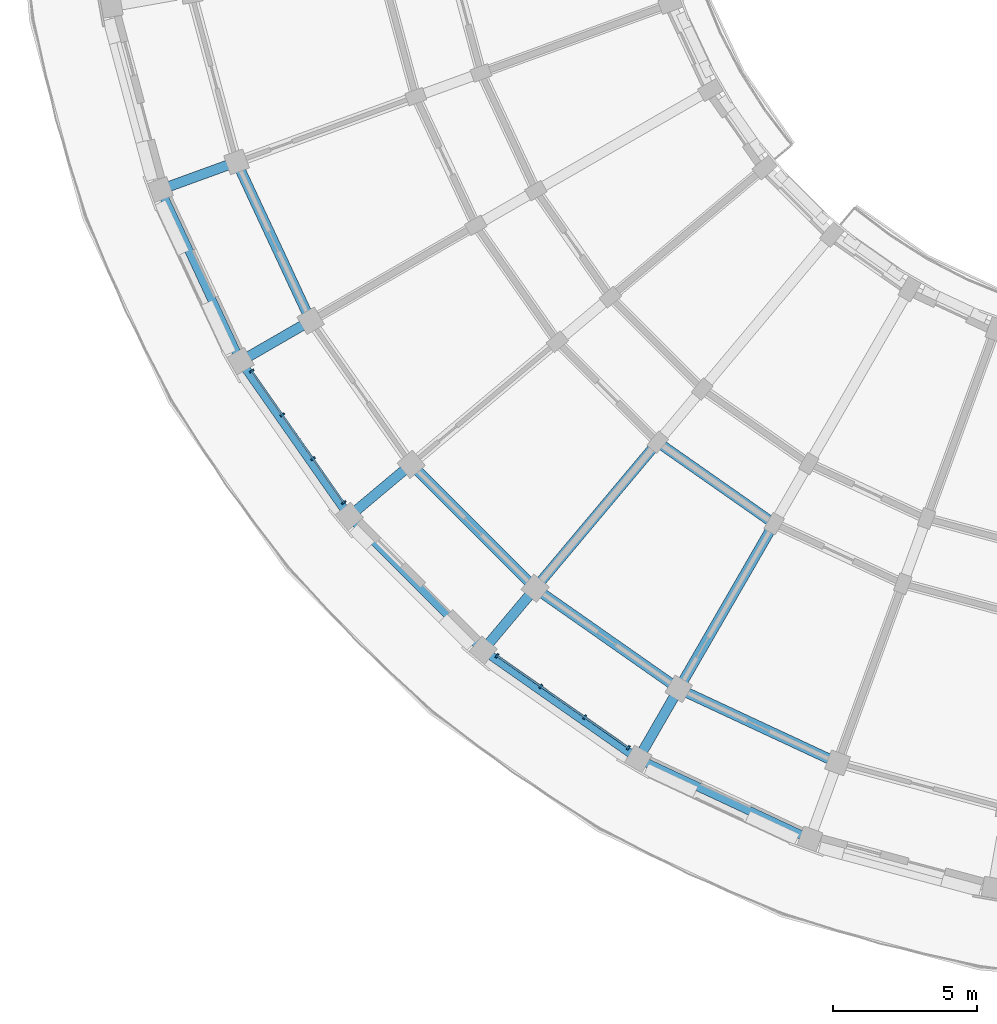
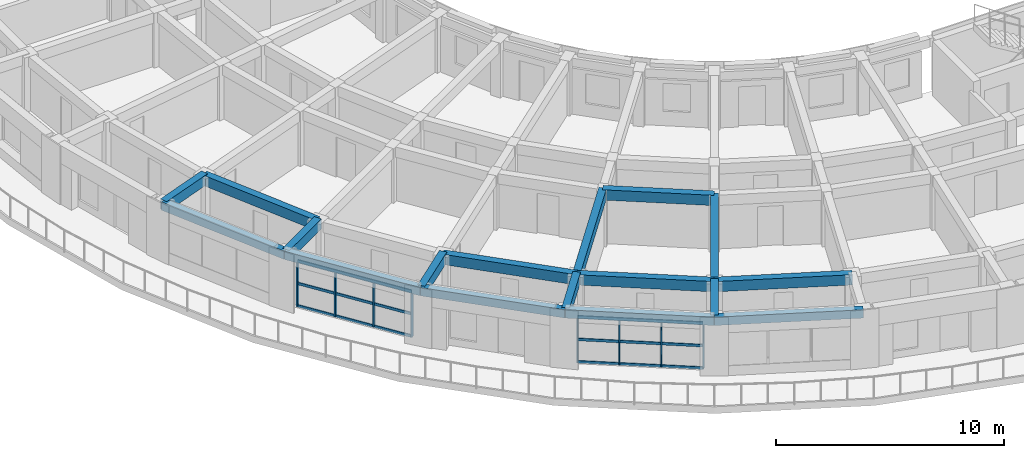
# One storey, part 4 of 54: 17 beams, 14 members, 2 elements without a shape of their own.
"""IFC4 building model written with IfcOpenShell, lengths in metres."""

from ifc_helpers import new_model, si_unit, direction, frame, origin, origin_2d, place, context, subcontext, project, spatial, rectangle, extrude, material, material_profile, profile_set, type_object, element, aggregate, save


model = new_model("IFC4")

# Units and contexts
model_context = context("Model", 3, precision=1e-05, world=origin(), true_north=direction((0.0, 1.0)))
body_context = subcontext(model_context, "Body", "Model", "MODEL_VIEW")
ifc_project = project(units=[si_unit("LENGTHUNIT", "METRE"), si_unit("AREAUNIT", "SQUARE_METRE"), si_unit("VOLUMEUNIT", "CUBIC_METRE"), si_unit("PLANEANGLEUNIT", "RADIAN"), si_unit("MASSUNIT", "GRAM", prefix="KILO")], contexts=[model_context])

# Site, building, storey
site_placement = place(None, origin())
site = spatial("IfcSite", under=ifc_project, at=site_placement, CompositionType="ELEMENT")
building_placement = place(site_placement, origin())
building = spatial("IfcBuilding", under=site, at=building_placement, Name="Kiranvali Square Residences", CompositionType="ELEMENT")
storey_placement = place(building_placement, frame((0.0, 0.0, 27.60009765625)))
storey = spatial("IfcBuildingStorey", under=building, at=storey_placement, Name="L08", CompositionType="ELEMENT", Elevation=27.60009765625)

# Beams
ifc_material_1 = material(Name="Concrete M40 (40 MPa)", Category="concrete")
ifc_material_profile_1 = material_profile(ifc_material_1, rectangle(XDim=0.35009765625, YDim=0.550048828125, at=origin_2d()), Name="RC 350x550")
ifc_profile_set_1 = profile_set([ifc_material_profile_1], Name="Concrete M40 (40 MPa)")
beam_type_1 = type_object("IfcBeamType", Name="BM-M40-350x550", PredefinedType="BEAM", material=ifc_profile_set_1)
beam_1_placement = place(storey_placement, frame((36.297607421875, 15.498779296875, 2.65478515625), z_axis=(-0.906312656069, 0.42260781991, 0.0), x_axis=(-0.42260781991, -0.906312656069, 0.0)))
element("IfcBeam", 1, at=beam_1_placement, inside=storey, type_object=beam_type_1, Name="L08 beam BM-C-L08-C02-R3", PredefinedType="BEAM", context=body_context, shape_type="SweptSolid", body=[
    extrude(rectangle(XDim=0.35009765625, YDim=0.550048828125, at=origin_2d()), origin(), (0.0, 0.0, 1.0), 6.06591796875),
])
beam_2_placement = place(storey_placement, frame((34.10009765625, 23.778076171875, 2.65478515625), z_axis=(-0.819140911474, 0.573592335331, 0.0), x_axis=(-0.573592335331, -0.819140911474, 0.0)))
element("IfcBeam", 2, at=beam_2_placement, inside=storey, type_object=beam_type_1, Name="L08 beam BM-C-L08-C03-R2", PredefinedType="BEAM", context=body_context, shape_type="SweptSolid", body=[
    extrude(rectangle(XDim=0.35009765625, YDim=0.550048828125, at=origin_2d()), origin(), (0.0, 0.0, 1.0), 4.915771484375),
])
beam_3_placement = place(storey_placement, frame((30.800048828125, 18.062255859375, 2.65478515625), z_axis=(-0.81913926159, 0.573594691504, 0.0), x_axis=(-0.573594691504, -0.81913926159, 0.0)))
element("IfcBeam", 3, at=beam_3_placement, inside=storey, type_object=beam_type_1, Name="L08 beam BM-C-L08-C03-R3", PredefinedType="BEAM", context=body_context, shape_type="SweptSolid", body=[
    extrude(rectangle(XDim=0.35009765625, YDim=0.550048828125, at=origin_2d()), origin(), (0.0, 0.0, 1.0), 6.066162109375),
])
for number, where, z_axis, x_axis, name in (
    (4, (25.8310546875, 21.541748046875, 2.65478515625), (-0.707106781187, 0.707106781187, 0.0), (-0.707106781187, -0.707106781187, 0.0), "L08 beam BM-C-L08-C04-R3"),
    (5, (18.062255859375, 30.800048828125, 2.65478515625), (-0.42260781991, 0.906312656069, 0.0), (-0.906312656069, -0.42260781991, 0.0), "L08 beam BM-C-L08-C06-R3"),
):
    element("IfcBeam", number, at=place(storey_placement, frame(where, z_axis=z_axis, x_axis=x_axis)), inside=storey, type_object=beam_type_1, Name=name, PredefinedType="BEAM", context=body_context, shape_type="SweptSolid", body=[
        extrude(rectangle(XDim=0.35009765625, YDim=0.550048828125, at=origin_2d()), origin(), (0.0, 0.0, 1.0), 6.06591796875),
    ])
beam_4_placement = place(storey_placement, frame((34.10009765625, 23.778076171875, 2.65478515625), z_axis=(-0.500002094529, -0.866024194504, 0.0), x_axis=(0.866024194504, -0.500002094529, 0.0)))
element("IfcBeam", 6, at=beam_4_placement, inside=storey, type_object=beam_type_1, Name="L08 beam BM-C-L08-RAD03-23", PredefinedType="BEAM", context=body_context, shape_type="SweptSolid", body=[
    extrude(rectangle(XDim=0.35009765625, YDim=0.550048828125, at=origin_2d()), origin(), (0.0, 0.0, 1.0), 6.60009765625),
])
beam_5_placement = place(storey_placement, frame((30.800048828125, 18.062255859375, 2.69482421875), z_axis=(-0.500049511043, -0.865996816683, 0.0), x_axis=(0.865996816683, -0.500049511043, 0.0)))
element("IfcBeam", 7, at=beam_5_placement, inside=storey, type_object=beam_type_1, Name="L08 beam BM-C-L08-RAD03-34", PredefinedType="BEAM", context=body_context, shape_type="SweptSolid", body=[
    extrude(rectangle(XDim=0.35009765625, YDim=0.550048828125, at=origin_2d()), origin(), (0.0, 0.0, 1.0), 2.800048828125),
])
beam_6_placement = place(storey_placement, frame((30.073486328125, 26.59765625, 2.65478515625), z_axis=(-0.642789470807, -0.766042881449, 0.0), x_axis=(0.766042881449, -0.642789470807, 0.0)))
element("IfcBeam", 8, at=beam_6_placement, inside=storey, type_object=beam_type_1, Name="L08 beam BM-C-L08-RAD04-23", PredefinedType="BEAM", context=body_context, shape_type="SweptSolid", body=[
    extrude(rectangle(XDim=0.35009765625, YDim=0.550048828125, at=origin_2d()), origin(), (0.0, 0.0, 1.0), 6.60009765625),
])
for number, where, z_axis, x_axis, name in (
    (9, (25.8310546875, 21.541748046875, 2.69482421875), (-0.642770757628, -0.766058583359, 0.0), (0.766058583359, -0.642770757628, 0.0), "L08 beam BM-C-L08-RAD04-34"),
    (10, (21.541748046875, 25.8310546875, 2.69482421875), (-0.766058583359, -0.642770757628, 0.0), (0.642770757628, -0.766058583359, 0.0), "L08 beam BM-C-L08-RAD05-34"),
    (11, (18.062255859375, 30.800048828125, 2.69482421875), (-0.865996816683, -0.500049511043, 0.0), (0.500049511043, -0.865996816683, 0.0), "L08 beam BM-C-L08-RAD06-34"),
):
    element("IfcBeam", number, at=place(storey_placement, frame(where, z_axis=z_axis, x_axis=x_axis)), inside=storey, type_object=beam_type_1, Name=name, PredefinedType="BEAM", context=body_context, shape_type="SweptSolid", body=[
        extrude(rectangle(XDim=0.35009765625, YDim=0.550048828125, at=origin_2d()), origin(), (0.0, 0.0, 1.0), 2.800048828125),
    ])
beam_7_placement = place(storey_placement, frame((15.498779296875, 36.297607421875, 2.69482421875), z_axis=(-0.93970683422, -0.341981089711, 0.0), x_axis=(0.341981089711, -0.93970683422, 0.0)))
element("IfcBeam", 12, at=beam_7_placement, inside=storey, type_object=beam_type_1, Name="L08 beam BM-C-L08-RAD07-34", PredefinedType="BEAM", context=body_context, shape_type="SweptSolid", body=[
    extrude(rectangle(XDim=0.35009765625, YDim=0.550048828125, at=origin_2d()), origin(), (0.0, 0.0, 1.0), 2.7998046875),
])

# Curtain wall, members
ifc_material_2 = material(Name="Anodised bronze aluminium framing", Category="aluminium")
curtain_wall_type = type_object("IfcCurtainWallType", Name="CW-RES-LOG", PredefinedType="USERDEFINED", material=ifc_material_2)
curtain_wall_1_placement = place(storey_placement, origin())
curtain_wall_1 = element("IfcCurtainWall", 13, at=curtain_wall_1_placement, inside=storey, type_object=curtain_wall_type, Name="Block C L08 stepped curved terrace loggia 4", ObjectType="CURTAIN WALL", PredefinedType="USERDEFINED")
ifc_material_profile_2 = material_profile(ifc_material_2, rectangle(XDim=0.06494140625, YDim=0.159912109375, at=origin_2d()), Name="ALU 65x160")
ifc_profile_set_2 = profile_set([ifc_material_profile_2], Name="Anodised bronze aluminium framing")
member_type_1 = type_object("IfcMemberType", Name="CW-MUL-160", PredefinedType="MULLION", material=ifc_profile_set_2)
member_1_placement = place(storey_placement, frame((29.059326171875, 16.0224609375, 0.02001953125), z_axis=(0.0, 0.0, 1.0), x_axis=(-0.819152044289, 0.573576436351, 0.0)))
member_1 = element("IfcMember", 14, at=member_1_placement, type_object=member_type_1, Name="CW-C-L08-TER-03 vertical mullion 1", PredefinedType="MULLION", context=body_context, shape_type="SweptSolid", body=[
    extrude(rectangle(XDim=0.06494140625, YDim=0.159912109375, at=origin_2d()), origin(), (0.0, 0.0, 1.0), 2.43994140625),
])
member_2_placement = place(storey_placement, frame((27.542724609375, 17.08447265625, 0.02001953125), z_axis=(0.0, 0.0, 1.0), x_axis=(-0.819152044289, 0.573576436351, 0.0)))
member_2 = element("IfcMember", 15, at=member_2_placement, type_object=member_type_1, Name="CW-C-L08-TER-03 vertical mullion 2", PredefinedType="MULLION", context=body_context, shape_type="SweptSolid", body=[
    extrude(rectangle(XDim=0.06494140625, YDim=0.159912109375, at=origin_2d()), origin(), (0.0, 0.0, 1.0), 2.43994140625),
])
member_3_placement = place(storey_placement, frame((26.026123046875, 18.146240234375, 0.02001953125), z_axis=(0.0, 0.0, 1.0), x_axis=(-0.819152044289, 0.573576436351, 0.0)))
member_3 = element("IfcMember", 16, at=member_3_placement, type_object=member_type_1, Name="CW-C-L08-TER-03 vertical mullion 3", PredefinedType="MULLION", context=body_context, shape_type="SweptSolid", body=[
    extrude(rectangle(XDim=0.06494140625, YDim=0.159912109375, at=origin_2d()), origin(), (0.0, 0.0, 1.0), 2.43994140625),
])
member_4_placement = place(storey_placement, frame((24.509521484375, 19.208251953125, 0.02001953125), z_axis=(0.0, 0.0, 1.0), x_axis=(-0.819152044289, 0.573576436351, 0.0)))
member_4 = element("IfcMember", 17, at=member_4_placement, type_object=member_type_1, Name="CW-C-L08-TER-03 vertical mullion 4", PredefinedType="MULLION", context=body_context, shape_type="SweptSolid", body=[
    extrude(rectangle(XDim=0.06494140625, YDim=0.159912109375, at=origin_2d()), origin(), (0.0, 0.0, 1.0), 2.43994140625),
])

curtain_wall_2_placement = place(storey_placement, origin())
curtain_wall_2 = element("IfcCurtainWall", 18, at=curtain_wall_2_placement, inside=storey, type_object=curtain_wall_type, Name="Block C L08 stepped curved terrace loggia 6", ObjectType="CURTAIN WALL", PredefinedType="USERDEFINED")
member_5_placement = place(storey_placement, frame((19.208251953125, 24.509521484375, 0.02001953125), z_axis=(0.0, 0.0, 1.0), x_axis=(-0.573576436351, 0.819152044289, 0.0)))
member_5 = element("IfcMember", 19, at=member_5_placement, type_object=member_type_1, Name="CW-C-L08-TER-05 vertical mullion 1", PredefinedType="MULLION", context=body_context, shape_type="SweptSolid", body=[
    extrude(rectangle(XDim=0.06494140625, YDim=0.159912109375, at=origin_2d()), origin(), (0.0, 0.0, 1.0), 2.43994140625),
])
member_6_placement = place(storey_placement, frame((18.146240234375, 26.026123046875, 0.02001953125), z_axis=(0.0, 0.0, 1.0), x_axis=(-0.573576436351, 0.819152044289, 0.0)))
member_6 = element("IfcMember", 20, at=member_6_placement, type_object=member_type_1, Name="CW-C-L08-TER-05 vertical mullion 2", PredefinedType="MULLION", context=body_context, shape_type="SweptSolid", body=[
    extrude(rectangle(XDim=0.06494140625, YDim=0.159912109375, at=origin_2d()), origin(), (0.0, 0.0, 1.0), 2.43994140625),
])
member_7_placement = place(storey_placement, frame((17.08447265625, 27.542724609375, 0.02001953125), z_axis=(0.0, 0.0, 1.0), x_axis=(-0.573576436351, 0.819152044289, 0.0)))
member_7 = element("IfcMember", 21, at=member_7_placement, type_object=member_type_1, Name="CW-C-L08-TER-05 vertical mullion 3", PredefinedType="MULLION", context=body_context, shape_type="SweptSolid", body=[
    extrude(rectangle(XDim=0.06494140625, YDim=0.159912109375, at=origin_2d()), origin(), (0.0, 0.0, 1.0), 2.43994140625),
])
member_8_placement = place(storey_placement, frame((16.0224609375, 29.059326171875, 0.02001953125), z_axis=(0.0, 0.0, 1.0), x_axis=(-0.573576436351, 0.819152044289, 0.0)))
member_8 = element("IfcMember", 22, at=member_8_placement, type_object=member_type_1, Name="CW-C-L08-TER-05 vertical mullion 4", PredefinedType="MULLION", context=body_context, shape_type="SweptSolid", body=[
    extrude(rectangle(XDim=0.06494140625, YDim=0.159912109375, at=origin_2d()), origin(), (0.0, 0.0, 1.0), 2.43994140625),
])

# Member
ifc_material_profile_3 = material_profile(ifc_material_2, rectangle(XDim=0.06494140625, YDim=0.139892578125, at=origin_2d()), Name="ALU 65x140")
ifc_profile_set_3 = profile_set([ifc_material_profile_3], Name="Anodised bronze aluminium framing")
member_type_2 = type_object("IfcMemberType", Name="CW-TRN-140", PredefinedType="MULLION", material=ifc_profile_set_3)
member_9_placement = place(storey_placement, frame((29.051025390625, 16.0283203125, 0.039794921875), z_axis=(-0.819161445828, 0.573563009328, 0.0), x_axis=(-0.573563009328, -0.819161445828, 0.0)))
member_9 = element("IfcMember", 23, at=member_9_placement, type_object=member_type_2, Name="CW-C-L08-TER-03 horizontal transom 1", PredefinedType="MULLION", context=body_context, shape_type="SweptSolid", body=[
    extrude(rectangle(XDim=0.06494140625, YDim=0.139892578125, at=origin_2d()), origin(), (0.0, 0.0, 1.0), 5.533935546875),
])

member_10_placement = place(storey_placement, frame((29.051025390625, 16.0283203125, 1.239990234375), z_axis=(-0.819161445828, 0.573563009328, 0.0), x_axis=(-0.573563009328, -0.819161445828, 0.0)))
member_10 = element("IfcMember", 24, at=member_10_placement, type_object=member_type_2, Name="CW-C-L08-TER-03 horizontal transom 2", PredefinedType="MULLION", context=body_context, shape_type="SweptSolid", body=[
    extrude(rectangle(XDim=0.06494140625, YDim=0.139892578125, at=origin_2d()), origin(), (0.0, 0.0, 1.0), 5.533935546875),
])

member_11_placement = place(storey_placement, frame((29.051025390625, 16.0283203125, 2.43994140625), z_axis=(-0.819161445828, 0.573563009328, 0.0), x_axis=(-0.573563009328, -0.819161445828, 0.0)))
member_11 = element("IfcMember", 25, at=member_11_placement, type_object=member_type_2, Name="CW-C-L08-TER-03 horizontal transom 3", PredefinedType="MULLION", context=body_context, shape_type="SweptSolid", body=[
    extrude(rectangle(XDim=0.06494140625, YDim=0.139892578125, at=origin_2d()), origin(), (0.0, 0.0, 1.0), 5.533935546875),
])

aggregate(curtain_wall_1, [member_1, member_2, member_3, member_4, member_9, member_10, member_11])

member_12_placement = place(storey_placement, frame((19.202392578125, 24.517822265625, 0.039794921875), z_axis=(-0.573563009328, 0.819161445828, 0.0), x_axis=(-0.819161445828, -0.573563009328, 0.0)))
member_12 = element("IfcMember", 26, at=member_12_placement, type_object=member_type_2, Name="CW-C-L08-TER-05 horizontal transom 1", PredefinedType="MULLION", context=body_context, shape_type="SweptSolid", body=[
    extrude(rectangle(XDim=0.06494140625, YDim=0.139892578125, at=origin_2d()), origin(), (0.0, 0.0, 1.0), 5.533935546875),
])

member_13_placement = place(storey_placement, frame((19.202392578125, 24.517822265625, 1.239990234375), z_axis=(-0.573563009328, 0.819161445828, 0.0), x_axis=(-0.819161445828, -0.573563009328, 0.0)))
member_13 = element("IfcMember", 27, at=member_13_placement, type_object=member_type_2, Name="CW-C-L08-TER-05 horizontal transom 2", PredefinedType="MULLION", context=body_context, shape_type="SweptSolid", body=[
    extrude(rectangle(XDim=0.06494140625, YDim=0.139892578125, at=origin_2d()), origin(), (0.0, 0.0, 1.0), 5.533935546875),
])

member_14_placement = place(storey_placement, frame((19.202392578125, 24.517822265625, 2.43994140625), z_axis=(-0.573563009328, 0.819161445828, 0.0), x_axis=(-0.819161445828, -0.573563009328, 0.0)))
member_14 = element("IfcMember", 28, at=member_14_placement, type_object=member_type_2, Name="CW-C-L08-TER-05 horizontal transom 3", PredefinedType="MULLION", context=body_context, shape_type="SweptSolid", body=[
    extrude(rectangle(XDim=0.06494140625, YDim=0.139892578125, at=origin_2d()), origin(), (0.0, 0.0, 1.0), 5.533935546875),
])

aggregate(curtain_wall_2, [member_5, member_6, member_7, member_8, member_12, member_13, member_14])

# Beams
ifc_material_profile_4 = material_profile(ifc_material_1, rectangle(XDim=0.300048828125, YDim=0.449951171875, at=origin_2d()), Name="RC 300x450")
ifc_profile_set_4 = profile_set([ifc_material_profile_4], Name="Concrete M40 (40 MPa)")
beam_type_2 = type_object("IfcBeamType", Name="SPN-M40-300x450", PredefinedType="SPANDREL", material=ifc_profile_set_4)
beam_8_placement = place(storey_placement, frame((35.340087890625, 12.86767578125, 2.744873046875), z_axis=(-0.906318225223, 0.422595876255, 0.0), x_axis=(-0.422595876255, -0.906318225223, 0.0)))
element("IfcBeam", 29, at=beam_8_placement, inside=storey, type_object=beam_type_2, Name="L08 beam BM-C-L08-C02-R4", PredefinedType="SPANDREL", context=body_context, shape_type="SweptSolid", body=[
    extrude(rectangle(XDim=0.300048828125, YDim=0.449951171875, at=origin_2d()), origin(), (0.0, 0.0, 1.0), 6.55419921875),
])
beam_9_placement = place(storey_placement, frame((29.39990234375, 15.637451171875, 2.744873046875), z_axis=(-0.819144409176, 0.573587340268, 0.0), x_axis=(-0.573587340268, -0.819144409176, 0.0)))
element("IfcBeam", 30, at=beam_9_placement, inside=storey, type_object=beam_type_2, Name="L08 beam BM-C-L08-C03-R4", PredefinedType="SPANDREL", context=body_context, shape_type="SweptSolid", body=[
    extrude(rectangle(XDim=0.300048828125, YDim=0.449951171875, at=origin_2d()), origin(), (0.0, 0.0, 1.0), 6.553955078125),
])
beam_10_placement = place(storey_placement, frame((24.03125, 19.396728515625, 2.744873046875), z_axis=(-0.707106781187, 0.707106781187, 0.0), x_axis=(-0.707106781187, -0.707106781187, 0.0)))
element("IfcBeam", 31, at=beam_10_placement, inside=storey, type_object=beam_type_2, Name="L08 beam BM-C-L08-C04-R4", PredefinedType="SPANDREL", context=body_context, shape_type="SweptSolid", body=[
    extrude(rectangle(XDim=0.300048828125, YDim=0.449951171875, at=origin_2d()), origin(), (0.0, 0.0, 1.0), 6.55419921875),
])
beam_11_placement = place(storey_placement, frame((19.396728515625, 24.03125, 2.744873046875), z_axis=(-0.573587340268, 0.819144409176, 0.0), x_axis=(-0.819144409176, -0.573587340268, 0.0)))
element("IfcBeam", 32, at=beam_11_placement, inside=storey, type_object=beam_type_2, Name="L08 beam BM-C-L08-C05-R4", PredefinedType="SPANDREL", context=body_context, shape_type="SweptSolid", body=[
    extrude(rectangle(XDim=0.300048828125, YDim=0.449951171875, at=origin_2d()), origin(), (0.0, 0.0, 1.0), 6.553955078125),
])
beam_12_placement = place(storey_placement, frame((15.637451171875, 29.39990234375, 2.744873046875), z_axis=(-0.422595876255, 0.906318225223, 0.0), x_axis=(-0.906318225223, -0.422595876255, 0.0)))
element("IfcBeam", 33, at=beam_12_placement, inside=storey, type_object=beam_type_2, Name="L08 beam BM-C-L08-C06-R4", PredefinedType="SPANDREL", context=body_context, shape_type="SweptSolid", body=[
    extrude(rectangle(XDim=0.300048828125, YDim=0.449951171875, at=origin_2d()), origin(), (0.0, 0.0, 1.0), 6.55419921875),
])

save(model, "model.ifc")
